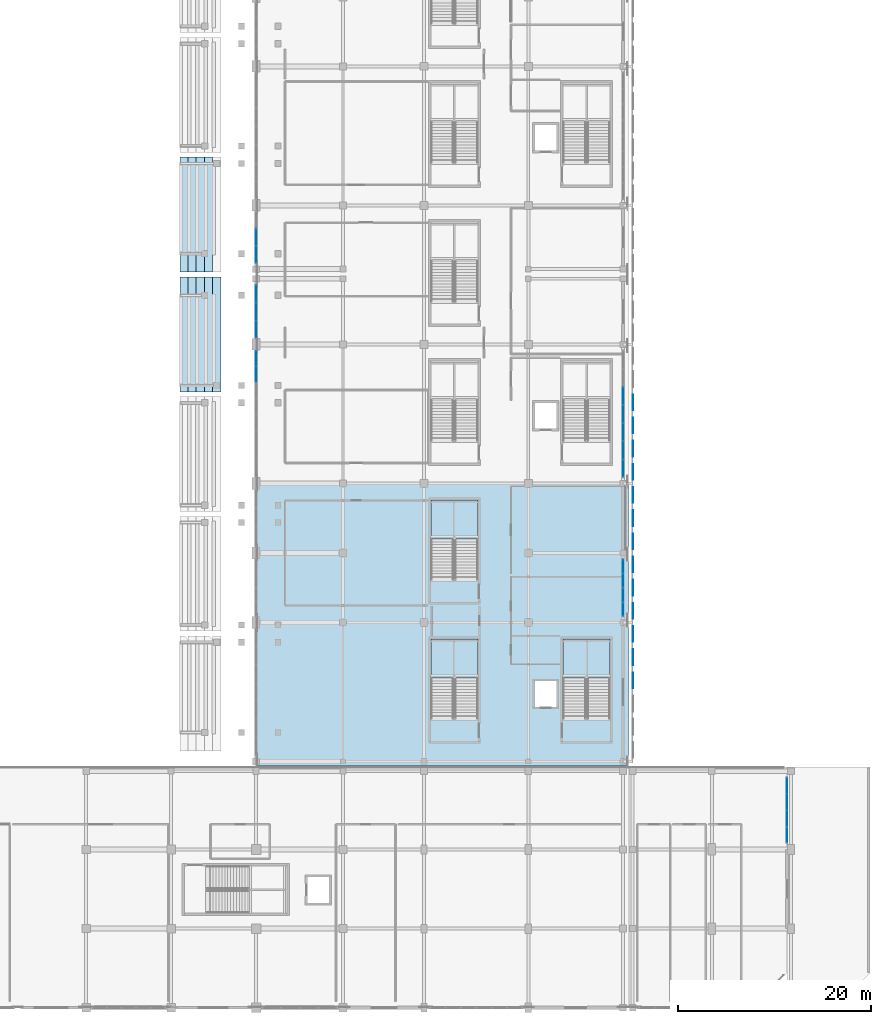
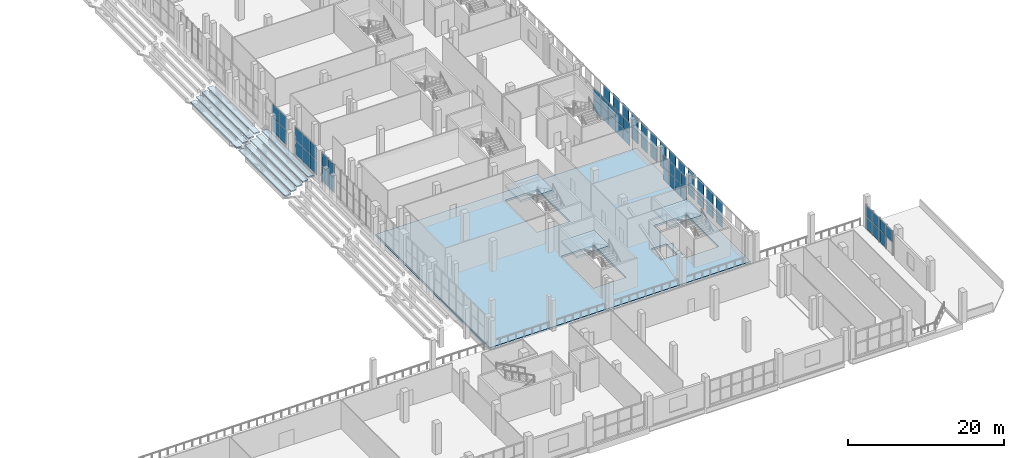
# One storey, part 80 of 142: 52 plates, 13 slabs, 9 elements without a shape of their own.
"""IFC4 building model written with IfcOpenShell, lengths in metres."""

from ifc_helpers import new_model, si_unit, direction, frame, origin, origin_2d, place, context, subcontext, project, spatial, polyline, rectangle, outline, extrude, material, layer, layer_set, type_object, element, aggregate, save


model = new_model("IFC4")

# Units and contexts
model_context = context("Model", 3, precision=1e-05, world=origin(), true_north=direction((0.0, 1.0)))
body_context = subcontext(model_context, "Body", "Model", "MODEL_VIEW")
ifc_project = project(units=[si_unit("LENGTHUNIT", "METRE"), si_unit("AREAUNIT", "SQUARE_METRE"), si_unit("VOLUMEUNIT", "CUBIC_METRE"), si_unit("PLANEANGLEUNIT", "RADIAN"), si_unit("MASSUNIT", "GRAM", prefix="KILO")], contexts=[model_context])

# Site, building, storey
site_placement = place(None, origin())
site = spatial("IfcSite", under=ifc_project, at=site_placement, CompositionType="ELEMENT")
building_placement = place(site_placement, origin())
building = spatial("IfcBuilding", under=site, at=building_placement, Name="Koshinbarg Plaza Stadium", CompositionType="ELEMENT")
storey_placement = place(building_placement, frame((0.0, 0.0, 10.199951171875)))
storey = spatial("IfcBuildingStorey", under=building, at=storey_placement, Name="L02", CompositionType="ELEMENT", Elevation=10.199951171875)

# Curtain wall, plates
ifc_material_1 = material(Name="Thermally broken anodised aluminium and low-E double glazing", Category="aluminium")
curtain_wall_type_1 = type_object("IfcCurtainWallType", Name="CW-SYS-11", PredefinedType="NOTDEFINED", material=ifc_material_1)
curtain_wall_1_placement = place(storey_placement, origin())
curtain_wall_1 = element("IfcCurtainWall", 1, at=curtain_wall_1_placement, inside=storey, type_object=curtain_wall_type_1, Name="L02 unitised curtain wall CW-L02-058", PredefinedType="NOTDEFINED")
ifc_material_2 = material(Name="Solar-control low-E double glazing unit", Category="glass")
ifc_layer_1 = layer(ifc_material_2, 0.028076171875)
ifc_layer_set_1 = layer_set([ifc_layer_1], Name="Solar-control low-E double glazing unit")
plate_type_1 = type_object("IfcPlateType", Name="CW-PNL-28", PredefinedType="CURTAIN_PANEL", material=ifc_layer_set_1)
plate_1_placement = place(storey_placement, frame((218.39990234375, 45.719970703125, 0.06005859375), z_axis=(0.0, 0.0, 1.0), x_axis=(0.0, -1.0, 0.0)))
plate_1 = element("IfcPlate", 2, at=plate_1_placement, type_object=plate_type_1, Name="CW11 panel 1.1", PredefinedType="CURTAIN_PANEL", context=body_context, shape_type="SweptSolid", body=[
    extrude(rectangle(XDim=1.39990234375, YDim=0.028076171875, at=origin_2d()), origin(), (0.0, 0.0, 1.0), 1.917236328125),
])
plate_2_placement = place(storey_placement, frame((218.39990234375, 45.719970703125, 2.037353515625), z_axis=(0.0, 0.0, 1.0), x_axis=(0.0, -1.0, 0.0)))
plate_2 = element("IfcPlate", 3, at=plate_2_placement, type_object=plate_type_1, Name="CW11 panel 1.2", PredefinedType="CURTAIN_PANEL", context=body_context, shape_type="SweptSolid", body=[
    extrude(rectangle(XDim=1.39990234375, YDim=0.028076171875, at=origin_2d()), origin(), (0.0, 0.0, 1.0), 1.7626953125),
])
plate_3_placement = place(storey_placement, frame((218.39990234375, 44.2451171875, 0.06005859375), z_axis=(0.0, 0.0, 1.0), x_axis=(0.0, -1.0, 0.0)))
plate_3 = element("IfcPlate", 4, at=plate_3_placement, type_object=plate_type_1, Name="CW11 panel 2.1", PredefinedType="CURTAIN_PANEL", context=body_context, shape_type="SweptSolid", body=[
    extrude(rectangle(XDim=1.429931640625, YDim=0.028076171875, at=origin_2d()), origin(), (0.0, 0.0, 1.0), 1.917236328125),
])
plate_4_placement = place(storey_placement, frame((218.39990234375, 44.2451171875, 2.037353515625), z_axis=(0.0, 0.0, 1.0), x_axis=(0.0, -1.0, 0.0)))
plate_4 = element("IfcPlate", 5, at=plate_4_placement, type_object=plate_type_1, Name="CW11 panel 2.2", PredefinedType="CURTAIN_PANEL", context=body_context, shape_type="SweptSolid", body=[
    extrude(rectangle(XDim=1.429931640625, YDim=0.028076171875, at=origin_2d()), origin(), (0.0, 0.0, 1.0), 1.7626953125),
])
plate_5_placement = place(storey_placement, frame((218.39990234375, 42.7548828125, 0.06005859375), z_axis=(0.0, 0.0, 1.0), x_axis=(0.0, -1.0, 0.0)))
plate_5 = element("IfcPlate", 6, at=plate_5_placement, type_object=plate_type_1, Name="CW11 panel 3.1", PredefinedType="CURTAIN_PANEL", context=body_context, shape_type="SweptSolid", body=[
    extrude(rectangle(XDim=1.429931640625, YDim=0.028076171875, at=origin_2d()), origin(), (0.0, 0.0, 1.0), 1.917236328125),
])
plate_6_placement = place(storey_placement, frame((218.39990234375, 42.7548828125, 2.037353515625), z_axis=(0.0, 0.0, 1.0), x_axis=(0.0, -1.0, 0.0)))
plate_6 = element("IfcPlate", 7, at=plate_6_placement, type_object=plate_type_1, Name="CW11 panel 3.2", PredefinedType="CURTAIN_PANEL", context=body_context, shape_type="SweptSolid", body=[
    extrude(rectangle(XDim=1.429931640625, YDim=0.028076171875, at=origin_2d()), origin(), (0.0, 0.0, 1.0), 1.7626953125),
])
plate_7_placement = place(storey_placement, frame((218.39990234375, 41.280029296875, 0.06005859375), z_axis=(0.0, 0.0, 1.0), x_axis=(0.0, -1.0, 0.0)))
plate_7 = element("IfcPlate", 8, at=plate_7_placement, type_object=plate_type_1, Name="CW11 panel 4.1", PredefinedType="CURTAIN_PANEL", context=body_context, shape_type="SweptSolid", body=[
    extrude(rectangle(XDim=1.39990234375, YDim=0.028076171875, at=origin_2d()), origin(), (0.0, 0.0, 1.0), 1.917236328125),
])
plate_8_placement = place(storey_placement, frame((218.39990234375, 41.280029296875, 2.037353515625), z_axis=(0.0, 0.0, 1.0), x_axis=(0.0, -1.0, 0.0)))
plate_8 = element("IfcPlate", 9, at=plate_8_placement, type_object=plate_type_1, Name="CW11 panel 4.2", PredefinedType="CURTAIN_PANEL", context=body_context, shape_type="SweptSolid", body=[
    extrude(rectangle(XDim=1.39990234375, YDim=0.028076171875, at=origin_2d()), origin(), (0.0, 0.0, 1.0), 1.7626953125),
])
aggregate(curtain_wall_1, [plate_1, plate_2, plate_3, plate_4, plate_5, plate_6, plate_7, plate_8])

curtain_wall_type_2 = type_object("IfcCurtainWallType", Name="CW-SYS-13", PredefinedType="NOTDEFINED", material=ifc_material_1)
curtain_wall_2_placement = place(storey_placement, origin())
curtain_wall_2 = element("IfcCurtainWall", 10, at=curtain_wall_2_placement, inside=storey, type_object=curtain_wall_type_2, Name="L02 unitised curtain wall CW-L02-060", PredefinedType="NOTDEFINED")
plate_9_placement = place(storey_placement, frame((235.3798828125, 23.007568359375, 0.06005859375), z_axis=(0.0, 0.0, 1.0), x_axis=(0.0, -1.0, 0.0)))
plate_9 = element("IfcPlate", 11, at=plate_9_placement, type_object=plate_type_1, Name="CW13 panel 1.1", PredefinedType="CURTAIN_PANEL", context=body_context, shape_type="SweptSolid", body=[
    extrude(rectangle(XDim=1.625, YDim=0.028076171875, at=origin_2d()), origin(), (0.0, 0.0, 1.0), 1.87548828125),
])
plate_10_placement = place(storey_placement, frame((235.3798828125, 23.007568359375, 1.99560546875), z_axis=(0.0, 0.0, 1.0), x_axis=(0.0, -1.0, 0.0)))
plate_10 = element("IfcPlate", 12, at=plate_10_placement, type_object=plate_type_1, Name="CW13 panel 1.2", PredefinedType="CURTAIN_PANEL", context=body_context, shape_type="SweptSolid", body=[
    extrude(rectangle(XDim=1.625, YDim=0.028076171875, at=origin_2d()), origin(), (0.0, 0.0, 1.0), 1.724365234375),
])
plate_11_placement = place(storey_placement, frame((235.3798828125, 21.3076171875, 0.06005859375), z_axis=(0.0, 0.0, 1.0), x_axis=(0.0, -1.0, 0.0)))
plate_11 = element("IfcPlate", 13, at=plate_11_placement, type_object=plate_type_1, Name="CW13 panel 2.1", PredefinedType="CURTAIN_PANEL", context=body_context, shape_type="SweptSolid", body=[
    extrude(rectangle(XDim=1.655029296875, YDim=0.028076171875, at=origin_2d()), origin(), (0.0, 0.0, 1.0), 1.87548828125),
])
plate_12_placement = place(storey_placement, frame((235.3798828125, 21.3076171875, 1.99560546875), z_axis=(0.0, 0.0, 1.0), x_axis=(0.0, -1.0, 0.0)))
plate_12 = element("IfcPlate", 14, at=plate_12_placement, type_object=plate_type_1, Name="CW13 panel 2.2", PredefinedType="CURTAIN_PANEL", context=body_context, shape_type="SweptSolid", body=[
    extrude(rectangle(XDim=1.655029296875, YDim=0.028076171875, at=origin_2d()), origin(), (0.0, 0.0, 1.0), 1.724365234375),
])
plate_13_placement = place(storey_placement, frame((235.3798828125, 19.592529296875, 0.06005859375), z_axis=(0.0, 0.0, 1.0), x_axis=(0.0, -1.0, 0.0)))
plate_13 = element("IfcPlate", 15, at=plate_13_placement, type_object=plate_type_1, Name="CW13 panel 3.1", PredefinedType="CURTAIN_PANEL", context=body_context, shape_type="SweptSolid", body=[
    extrude(rectangle(XDim=1.655029296875, YDim=0.028076171875, at=origin_2d()), origin(), (0.0, 0.0, 1.0), 1.87548828125),
])
plate_14_placement = place(storey_placement, frame((235.3798828125, 19.592529296875, 1.99560546875), z_axis=(0.0, 0.0, 1.0), x_axis=(0.0, -1.0, 0.0)))
plate_14 = element("IfcPlate", 16, at=plate_14_placement, type_object=plate_type_1, Name="CW13 panel 3.2", PredefinedType="CURTAIN_PANEL", context=body_context, shape_type="SweptSolid", body=[
    extrude(rectangle(XDim=1.655029296875, YDim=0.028076171875, at=origin_2d()), origin(), (0.0, 0.0, 1.0), 1.724365234375),
])
plate_15_placement = place(storey_placement, frame((235.3798828125, 17.892578125, 1.99560546875), z_axis=(0.0, 0.0, 1.0), x_axis=(0.0, -1.0, 0.0)))
plate_15 = element("IfcPlate", 17, at=plate_15_placement, type_object=plate_type_1, Name="CW13 panel 4.2", PredefinedType="CURTAIN_PANEL", context=body_context, shape_type="SweptSolid", body=[
    extrude(rectangle(XDim=1.625, YDim=0.028076171875, at=origin_2d()), origin(), (0.0, 0.0, 1.0), 1.724365234375),
])
aggregate(curtain_wall_2, [plate_9, plate_10, plate_11, plate_12, plate_13, plate_14, plate_15])

curtain_wall_type_3 = type_object("IfcCurtainWallType", Name="CW-SYS-05", PredefinedType="NOTDEFINED", material=ifc_material_1)
curtain_wall_3_placement = place(storey_placement, origin())
curtain_wall_3 = element("IfcCurtainWall", 18, at=curtain_wall_3_placement, inside=storey, type_object=curtain_wall_type_3, Name="L02 unitised curtain wall CW-L02-084", PredefinedType="NOTDEFINED")
plate_16_placement = place(storey_placement, frame((180.39990234375, 65.612548828125, 0.06005859375), z_axis=(0.0, 0.0, 1.0), x_axis=(0.0, 1.0, 0.0)))
plate_16 = element("IfcPlate", 19, at=plate_16_placement, type_object=plate_type_1, Name="CW05 panel 7.1", PredefinedType="CURTAIN_PANEL", context=body_context, shape_type="SweptSolid", body=[
    extrude(rectangle(XDim=1.5849609375, YDim=0.028076171875, at=origin_2d()), origin(), (0.0, 0.0, 1.0), 2.239501953125),
])
plate_17_placement = place(storey_placement, frame((180.39990234375, 65.612548828125, 2.35986328125), z_axis=(0.0, 0.0, 1.0), x_axis=(0.0, 1.0, 0.0)))
plate_17 = element("IfcPlate", 20, at=plate_17_placement, type_object=plate_type_1, Name="CW05 panel 7.2", PredefinedType="CURTAIN_PANEL", context=body_context, shape_type="SweptSolid", body=[
    extrude(rectangle(XDim=1.5849609375, YDim=0.028076171875, at=origin_2d()), origin(), (0.0, 0.0, 1.0), 2.060302734375),
])
plate_18_placement = place(storey_placement, frame((180.39990234375, 67.242431640625, 0.06005859375), z_axis=(0.0, 0.0, 1.0), x_axis=(0.0, 1.0, 0.0)))
plate_18 = element("IfcPlate", 21, at=plate_18_placement, type_object=plate_type_1, Name="CW05 panel 8.1", PredefinedType="CURTAIN_PANEL", context=body_context, shape_type="SweptSolid", body=[
    extrude(rectangle(XDim=1.554931640625, YDim=0.028076171875, at=origin_2d()), origin(), (0.0, 0.0, 1.0), 2.239501953125),
])
plate_19_placement = place(storey_placement, frame((180.39990234375, 67.242431640625, 2.35986328125), z_axis=(0.0, 0.0, 1.0), x_axis=(0.0, 1.0, 0.0)))
plate_19 = element("IfcPlate", 22, at=plate_19_placement, type_object=plate_type_1, Name="CW05 panel 8.2", PredefinedType="CURTAIN_PANEL", context=body_context, shape_type="SweptSolid", body=[
    extrude(rectangle(XDim=1.554931640625, YDim=0.028076171875, at=origin_2d()), origin(), (0.0, 0.0, 1.0), 2.060302734375),
])
aggregate(curtain_wall_3, [plate_16, plate_17, plate_18, plate_19])

curtain_wall_type_4 = type_object("IfcCurtainWallType", Name="CW-SYS-07", PredefinedType="NOTDEFINED", material=ifc_material_1)
curtain_wall_4_placement = place(storey_placement, origin())
curtain_wall_4 = element("IfcCurtainWall", 23, at=curtain_wall_4_placement, inside=storey, type_object=curtain_wall_type_4, Name="L02 unitised curtain wall CW-L02-086", PredefinedType="NOTDEFINED")
plate_20_placement = place(storey_placement, frame((180.39990234375, 78.0283203125, 0.06005859375), z_axis=(0.0, 0.0, 1.0), x_axis=(0.0, 1.0, 0.0)))
plate_20 = element("IfcPlate", 24, at=plate_20_placement, type_object=plate_type_1, Name="CW07 panel 1.1", PredefinedType="CURTAIN_PANEL", context=body_context, shape_type="SweptSolid", body=[
    extrude(rectangle(XDim=1.69677734375, YDim=0.028076171875, at=origin_2d()), origin(), (0.0, 0.0, 1.0), 2.239501953125),
])
plate_21_placement = place(storey_placement, frame((180.39990234375, 78.0283203125, 2.35986328125), z_axis=(0.0, 0.0, 1.0), x_axis=(0.0, 1.0, 0.0)))
plate_21 = element("IfcPlate", 25, at=plate_21_placement, type_object=plate_type_1, Name="CW07 panel 1.2", PredefinedType="CURTAIN_PANEL", context=body_context, shape_type="SweptSolid", body=[
    extrude(rectangle(XDim=1.69677734375, YDim=0.028076171875, at=origin_2d()), origin(), (0.0, 0.0, 1.0), 2.060302734375),
])
plate_22_placement = place(storey_placement, frame((180.39990234375, 79.800048828125, 0.06005859375), z_axis=(0.0, 0.0, 1.0), x_axis=(0.0, 1.0, 0.0)))
plate_22 = element("IfcPlate", 26, at=plate_22_placement, type_object=plate_type_1, Name="CW07 panel 2.1", PredefinedType="CURTAIN_PANEL", context=body_context, shape_type="SweptSolid", body=[
    extrude(rectangle(XDim=1.7265625, YDim=0.028076171875, at=origin_2d()), origin(), (0.0, 0.0, 1.0), 2.239501953125),
])
plate_23_placement = place(storey_placement, frame((180.39990234375, 79.800048828125, 2.35986328125), z_axis=(0.0, 0.0, 1.0), x_axis=(0.0, 1.0, 0.0)))
plate_23 = element("IfcPlate", 27, at=plate_23_placement, type_object=plate_type_1, Name="CW07 panel 2.2", PredefinedType="CURTAIN_PANEL", context=body_context, shape_type="SweptSolid", body=[
    extrude(rectangle(XDim=1.7265625, YDim=0.028076171875, at=origin_2d()), origin(), (0.0, 0.0, 1.0), 2.060302734375),
])
aggregate(curtain_wall_4, [plate_20, plate_21, plate_22, plate_23])

curtain_wall_type_5 = type_object("IfcCurtainWallType", Name="CW-SYS-10", PredefinedType="NOTDEFINED", material=ifc_material_1)
curtain_wall_5_placement = place(storey_placement, origin())
curtain_wall_5 = element("IfcCurtainWall", 28, at=curtain_wall_5_placement, inside=storey, type_object=curtain_wall_type_5, Name="L02 unitised curtain wall CW-L02-057", PredefinedType="NOTDEFINED")
ifc_material_3 = material(Name="Acoustic solar-control double glazing unit", Category="glass")
ifc_layer_2 = layer(ifc_material_3, 0.031982421875)
ifc_layer_set_2 = layer_set([ifc_layer_2], Name="Acoustic solar-control double glazing unit")
plate_type_2 = type_object("IfcPlateType", Name="CW-PNL-32", PredefinedType="CURTAIN_PANEL", material=ifc_layer_set_2)
plate_24_placement = place(storey_placement, frame((218.39990234375, 63.3798828125, 0.06005859375), z_axis=(0.0, 0.0, 1.0), x_axis=(0.0, -1.0, 0.0)))
plate_24 = element("IfcPlate", 29, at=plate_24_placement, type_object=plate_type_2, Name="CW10 panel 3.1", PredefinedType="CURTAIN_PANEL", context=body_context, shape_type="SweptSolid", body=[
    extrude(rectangle(XDim=1.820068359375, YDim=0.031982421875, at=origin_2d()), origin(), (0.0, 0.0, 1.0), 1.76123046875),
])
plate_25_placement = place(storey_placement, frame((218.39990234375, 63.3798828125, 1.88134765625), z_axis=(0.0, 0.0, 1.0), x_axis=(0.0, -1.0, 0.0)))
plate_25 = element("IfcPlate", 30, at=plate_25_placement, type_object=plate_type_2, Name="CW10 panel 3.2", PredefinedType="CURTAIN_PANEL", context=body_context, shape_type="SweptSolid", body=[
    extrude(rectangle(XDim=1.820068359375, YDim=0.031982421875, at=origin_2d()), origin(), (0.0, 0.0, 1.0), 1.618896484375),
])
plate_26_placement = place(storey_placement, frame((218.39990234375, 61.5, 0.06005859375), z_axis=(0.0, 0.0, 1.0), x_axis=(0.0, -1.0, 0.0)))
plate_26 = element("IfcPlate", 31, at=plate_26_placement, type_object=plate_type_2, Name="CW10 panel 4.1", PredefinedType="CURTAIN_PANEL", context=body_context, shape_type="SweptSolid", body=[
    extrude(rectangle(XDim=1.820068359375, YDim=0.031982421875, at=origin_2d()), origin(), (0.0, 0.0, 1.0), 1.76123046875),
])
plate_27_placement = place(storey_placement, frame((218.39990234375, 61.5, 1.88134765625), z_axis=(0.0, 0.0, 1.0), x_axis=(0.0, -1.0, 0.0)))
plate_27 = element("IfcPlate", 32, at=plate_27_placement, type_object=plate_type_2, Name="CW10 panel 4.2", PredefinedType="CURTAIN_PANEL", context=body_context, shape_type="SweptSolid", body=[
    extrude(rectangle(XDim=1.820068359375, YDim=0.031982421875, at=origin_2d()), origin(), (0.0, 0.0, 1.0), 1.618896484375),
])
plate_28_placement = place(storey_placement, frame((218.39990234375, 59.6201171875, 0.06005859375), z_axis=(0.0, 0.0, 1.0), x_axis=(0.0, -1.0, 0.0)))
plate_28 = element("IfcPlate", 33, at=plate_28_placement, type_object=plate_type_2, Name="CW10 panel 5.1", PredefinedType="CURTAIN_PANEL", context=body_context, shape_type="SweptSolid", body=[
    extrude(rectangle(XDim=1.820068359375, YDim=0.031982421875, at=origin_2d()), origin(), (0.0, 0.0, 1.0), 1.76123046875),
])
plate_29_placement = place(storey_placement, frame((218.39990234375, 59.6201171875, 1.88134765625), z_axis=(0.0, 0.0, 1.0), x_axis=(0.0, -1.0, 0.0)))
plate_29 = element("IfcPlate", 34, at=plate_29_placement, type_object=plate_type_2, Name="CW10 panel 5.2", PredefinedType="CURTAIN_PANEL", context=body_context, shape_type="SweptSolid", body=[
    extrude(rectangle(XDim=1.820068359375, YDim=0.031982421875, at=origin_2d()), origin(), (0.0, 0.0, 1.0), 1.618896484375),
])
plate_30_placement = place(storey_placement, frame((218.39990234375, 57.739990234375, 0.06005859375), z_axis=(0.0, 0.0, 1.0), x_axis=(0.0, -1.0, 0.0)))
plate_30 = element("IfcPlate", 35, at=plate_30_placement, type_object=plate_type_2, Name="CW10 panel 6.1", PredefinedType="CURTAIN_PANEL", context=body_context, shape_type="SweptSolid", body=[
    extrude(rectangle(XDim=1.820068359375, YDim=0.031982421875, at=origin_2d()), origin(), (0.0, 0.0, 1.0), 1.76123046875),
])
plate_31_placement = place(storey_placement, frame((218.39990234375, 57.739990234375, 1.88134765625), z_axis=(0.0, 0.0, 1.0), x_axis=(0.0, -1.0, 0.0)))
plate_31 = element("IfcPlate", 36, at=plate_31_placement, type_object=plate_type_2, Name="CW10 panel 6.2", PredefinedType="CURTAIN_PANEL", context=body_context, shape_type="SweptSolid", body=[
    extrude(rectangle(XDim=1.820068359375, YDim=0.031982421875, at=origin_2d()), origin(), (0.0, 0.0, 1.0), 1.618896484375),
])
plate_32_placement = place(storey_placement, frame((218.39990234375, 55.875, 0.06005859375), z_axis=(0.0, 0.0, 1.0), x_axis=(0.0, -1.0, 0.0)))
plate_32 = element("IfcPlate", 37, at=plate_32_placement, type_object=plate_type_2, Name="CW10 panel 7.1", PredefinedType="CURTAIN_PANEL", context=body_context, shape_type="SweptSolid", body=[
    extrude(rectangle(XDim=1.7900390625, YDim=0.031982421875, at=origin_2d()), origin(), (0.0, 0.0, 1.0), 1.76123046875),
])
plate_33_placement = place(storey_placement, frame((218.39990234375, 55.875, 1.88134765625), z_axis=(0.0, 0.0, 1.0), x_axis=(0.0, -1.0, 0.0)))
plate_33 = element("IfcPlate", 38, at=plate_33_placement, type_object=plate_type_2, Name="CW10 panel 7.2", PredefinedType="CURTAIN_PANEL", context=body_context, shape_type="SweptSolid", body=[
    extrude(rectangle(XDim=1.7900390625, YDim=0.031982421875, at=origin_2d()), origin(), (0.0, 0.0, 1.0), 1.618896484375),
])
aggregate(curtain_wall_5, [plate_24, plate_25, plate_26, plate_27, plate_28, plate_29, plate_30, plate_31, plate_32, plate_33])

curtain_wall_type_6 = type_object("IfcCurtainWallType", Name="CW-SYS-06", PredefinedType="NOTDEFINED", material=ifc_material_1)
curtain_wall_6_placement = place(storey_placement, origin())
curtain_wall_6 = element("IfcCurtainWall", 39, at=curtain_wall_6_placement, inside=storey, type_object=curtain_wall_type_6, Name="L02 unitised curtain wall CW-L02-085", PredefinedType="NOTDEFINED")
plate_34_placement = place(storey_placement, frame((180.39990234375, 70.26171875, 0.06005859375), z_axis=(0.0, 0.0, 1.0), x_axis=(0.0, 1.0, 0.0)))
plate_34 = element("IfcPlate", 40, at=plate_34_placement, type_object=plate_type_2, Name="CW06 panel 1.1", PredefinedType="CURTAIN_PANEL", context=body_context, shape_type="SweptSolid", body=[
    extrude(rectangle(XDim=1.763427734375, YDim=0.031982421875, at=origin_2d()), origin(), (0.0, 0.0, 1.0), 2.239501953125),
])
plate_35_placement = place(storey_placement, frame((180.39990234375, 70.26171875, 2.35986328125), z_axis=(0.0, 0.0, 1.0), x_axis=(0.0, 1.0, 0.0)))
plate_35 = element("IfcPlate", 41, at=plate_35_placement, type_object=plate_type_2, Name="CW06 panel 1.2", PredefinedType="CURTAIN_PANEL", context=body_context, shape_type="SweptSolid", body=[
    extrude(rectangle(XDim=1.763427734375, YDim=0.031982421875, at=origin_2d()), origin(), (0.0, 0.0, 1.0), 2.060302734375),
])
plate_36_placement = place(storey_placement, frame((180.39990234375, 72.10009765625, 0.06005859375), z_axis=(0.0, 0.0, 1.0), x_axis=(0.0, 1.0, 0.0)))
plate_36 = element("IfcPlate", 42, at=plate_36_placement, type_object=plate_type_2, Name="CW06 panel 2.1", PredefinedType="CURTAIN_PANEL", context=body_context, shape_type="SweptSolid", body=[
    extrude(rectangle(XDim=1.793212890625, YDim=0.031982421875, at=origin_2d()), origin(), (0.0, 0.0, 1.0), 2.239501953125),
])
plate_37_placement = place(storey_placement, frame((180.39990234375, 72.10009765625, 2.35986328125), z_axis=(0.0, 0.0, 1.0), x_axis=(0.0, 1.0, 0.0)))
plate_37 = element("IfcPlate", 43, at=plate_37_placement, type_object=plate_type_2, Name="CW06 panel 2.2", PredefinedType="CURTAIN_PANEL", context=body_context, shape_type="SweptSolid", body=[
    extrude(rectangle(XDim=1.793212890625, YDim=0.031982421875, at=origin_2d()), origin(), (0.0, 0.0, 1.0), 2.060302734375),
])
plate_38_placement = place(storey_placement, frame((180.39990234375, 73.938232421875, 0.06005859375), z_axis=(0.0, 0.0, 1.0), x_axis=(0.0, 1.0, 0.0)))
plate_38 = element("IfcPlate", 44, at=plate_38_placement, type_object=plate_type_2, Name="CW06 panel 3.1", PredefinedType="CURTAIN_PANEL", context=body_context, shape_type="SweptSolid", body=[
    extrude(rectangle(XDim=1.763427734375, YDim=0.031982421875, at=origin_2d()), origin(), (0.0, 0.0, 1.0), 2.239501953125),
])
plate_39_placement = place(storey_placement, frame((180.39990234375, 73.938232421875, 2.35986328125), z_axis=(0.0, 0.0, 1.0), x_axis=(0.0, 1.0, 0.0)))
plate_39 = element("IfcPlate", 45, at=plate_39_placement, type_object=plate_type_2, Name="CW06 panel 3.2", PredefinedType="CURTAIN_PANEL", context=body_context, shape_type="SweptSolid", body=[
    extrude(rectangle(XDim=1.763427734375, YDim=0.031982421875, at=origin_2d()), origin(), (0.0, 0.0, 1.0), 2.060302734375),
])
aggregate(curtain_wall_6, [plate_34, plate_35, plate_36, plate_37, plate_38, plate_39])

# Plates
ifc_material_4 = material(Name="Off-white mineral-coated perforated aluminium screen panel", Category="aluminium")
ifc_layer_3 = layer(ifc_material_4, 0.050048828125)
ifc_layer_set_3 = layer_set([ifc_layer_3], Name="Off-white mineral-coated perforated aluminium screen panel")
plate_type_3 = type_object("IfcPlateType", Name="PLT-SCR-50", PredefinedType="USERDEFINED", material=ifc_layer_set_3)
for number, where, z_axis, x_axis, name in (
    (46, (219.419921875, 33.89990234375, 0.2001953125), (0.0, 0.0, 1.0), (1.0, 0.0, 0.0), "L02 off-white leaf-pierced outer screen panel 130"),
    (47, (219.419921875, 38.699951171875, 0.2001953125), (0.0, 0.0, 1.0), (1.0, 0.0, 0.0), "L02 off-white leaf-pierced outer screen panel 132"),
    (48, (219.419921875, 43.5, 0.2001953125), (0.0, 0.0, 1.0), (1.0, 0.0, 0.0), "L02 off-white leaf-pierced outer screen panel 134"),
    (49, (219.419921875, 48.300048828125, 0.2001953125), (0.0, 0.0, 1.0), (1.0, 0.0, 0.0), "L02 off-white leaf-pierced outer screen panel 136"),
    (50, (219.419921875, 53.10009765625, 0.2001953125), (0.0, 0.0, 1.0), (1.0, 0.0, 0.0), "L02 off-white leaf-pierced outer screen panel 138"),
    (51, (219.419921875, 57.89990234375, 0.2001953125), (0.0, 0.0, 1.0), (1.0, 0.0, 0.0), "L02 off-white leaf-pierced outer screen panel 140"),
    (52, (219.419921875, 62.699951171875, 0.2001953125), (0.0, 0.0, 1.0), (1.0, 0.0, 0.0), "L02 off-white leaf-pierced outer screen panel 142"),
):
    element("IfcPlate", number, at=place(storey_placement, frame(where, z_axis=z_axis, x_axis=x_axis)), inside=storey, type_object=plate_type_3, Name=name, ObjectType="SCREEN PANEL", PredefinedType="USERDEFINED", context=body_context, shape_type="SweptSolid", body=[
        extrude(rectangle(XDim=0.050048828125, YDim=1.632080078125, at=origin_2d()), origin(), (0.0, 0.0, 1.0), 4.030029296875),
    ])
ifc_material_5 = material(Name="Off-white mineral-coated leaf-aperture GRC screen panel")
ifc_layer_4 = layer(ifc_material_5, 0.06005859375)
ifc_layer_set_4 = layer_set([ifc_layer_4], Name="Off-white mineral-coated leaf-aperture GRC screen panel")
plate_type_4 = type_object("IfcPlateType", Name="PLT-SCR-60", PredefinedType="USERDEFINED", material=ifc_layer_set_4)
for number, where, z_axis, x_axis, name in (
    (53, (219.425048828125, 36.300048828125, 0.2001953125), (0.0, 0.0, 1.0), (1.0, 0.0, 0.0), "L02 off-white leaf-pierced outer screen panel 131"),
    (54, (219.425048828125, 41.10009765625, 0.2001953125), (0.0, 0.0, 1.0), (1.0, 0.0, 0.0), "L02 off-white leaf-pierced outer screen panel 133"),
    (55, (219.425048828125, 45.89990234375, 0.2001953125), (0.0, 0.0, 1.0), (1.0, 0.0, 0.0), "L02 off-white leaf-pierced outer screen panel 135"),
    (56, (219.425048828125, 50.699951171875, 0.2001953125), (0.0, 0.0, 1.0), (1.0, 0.0, 0.0), "L02 off-white leaf-pierced outer screen panel 137"),
    (57, (219.425048828125, 55.5, 0.2001953125), (0.0, 0.0, 1.0), (1.0, 0.0, 0.0), "L02 off-white leaf-pierced outer screen panel 139"),
    (58, (219.425048828125, 60.300048828125, 0.2001953125), (0.0, 0.0, 1.0), (1.0, 0.0, 0.0), "L02 off-white leaf-pierced outer screen panel 141"),
):
    element("IfcPlate", number, at=place(storey_placement, frame(where, z_axis=z_axis, x_axis=x_axis)), inside=storey, type_object=plate_type_4, Name=name, ObjectType="SCREEN PANEL", PredefinedType="USERDEFINED", context=body_context, shape_type="SweptSolid", body=[
        extrude(rectangle(XDim=0.06005859375, YDim=1.632080078125, at=origin_2d()), origin(), (0.0, 0.0, 1.0), 4.030029296875),
    ])

# Slab
ifc_material_6 = material(Name="Concrete C35/45", Category="concrete")
ifc_layer_5 = layer(ifc_material_6, 0.300048828125)
ifc_layer_set_5 = layer_set([ifc_layer_5], Name="Concrete C35/45")
slab_type_1 = type_object("IfcSlabType", Name="SL-FLR-300", PredefinedType="FLOOR", material=ifc_layer_set_5)
slab_1_placement = place(storey_placement, frame((0.0, 0.0, -0.300048828125)))
element("IfcSlab", 59, at=slab_1_placement, inside=storey, type_object=slab_type_1, Name="L02 V2 structural slab 5", PredefinedType="FLOOR", context=body_context, shape_type="SweptSolid", body=[
    extrude(outline(polyline([(180.39990234375, 25.044921875), (218.955078125, 25.044921875), (218.955078125, 54.300048828125), (180.39990234375, 54.300048828125), (180.39990234375, 25.044921875)]), holes=[polyline([(217.070068359375, 29.9599609375), (217.070068359375, 38.199951171875), (212.199951171875, 38.199951171875), (212.199951171875, 29.9599609375), (217.070068359375, 29.9599609375)]), polyline([(209.25, 31.14990234375), (211.550048828125, 31.14990234375), (211.550048828125, 33.85009765625), (209.25, 33.85009765625), (209.25, 31.14990234375)]), polyline([(203.3701171875, 29.9599609375), (203.3701171875, 38.199951171875), (198.5, 38.199951171875), (198.5, 29.9599609375), (203.3701171875, 29.9599609375)]), polyline([(203.3701171875, 44.360107421875), (203.3701171875, 52.60009765625), (198.5, 52.60009765625), (198.5, 44.360107421875), (203.3701171875, 44.360107421875)])]), origin(), (0.0, 0.0, 1.0), 0.300048828125),
])

# Stair, slab
stair_type_1 = type_object("IfcStairType", Name="ST-CORE-48", PredefinedType="HALF_TURN_STAIR", material=ifc_material_6)
stair_1_placement = place(storey_placement, origin())
stair_1 = element("IfcStair", 60, at=stair_1_placement, inside=storey, type_object=stair_type_1, Name="L02 Protected Exit Stair C07", PredefinedType="HALF_TURN_STAIR")
ifc_layer_6 = layer(ifc_material_6, 0.320068359375)
ifc_layer_set_6 = layer_set([ifc_layer_6], Name="Concrete C35/45")
slab_type_2 = type_object("IfcSlabType", Name="SL-STLAND-280", PredefinedType="LANDING", material=ifc_layer_set_6)
slab_2_placement = place(storey_placement, frame((0.0, 0.0, 2.080078125)))
slab_2 = element("IfcSlab", 61, at=slab_2_placement, type_object=slab_type_2, Name="L02 Protected Exit Stair C07 landing 039", PredefinedType="LANDING", context=body_context, shape_type="SweptSolid", body=[
    extrude(outline(polyline([(217.070068359375, 34.159912109375), (217.070068359375, 38.199951171875), (212.199951171875, 38.199951171875), (212.199951171875, 34.159912109375), (217.070068359375, 34.159912109375)])), origin(), (0.0, 0.0, 1.0), 0.320068359375),
])
aggregate(stair_1, [slab_2])

stair_type_2 = type_object("IfcStairType", Name="ST-VOM-48", PredefinedType="HALF_TURN_STAIR", material=ifc_material_6)
stair_2_placement = place(storey_placement, origin())
stair_2 = element("IfcStair", 62, at=stair_2_placement, inside=storey, type_object=stair_type_2, Name="L02 Upper Vomitory Stair VX07", PredefinedType="HALF_TURN_STAIR")
slab_3_placement = place(storey_placement, frame((0.0, 0.0, 2.080078125)))
slab_3 = element("IfcSlab", 63, at=slab_3_placement, type_object=slab_type_2, Name="L02 Upper Vomitory Stair VX07 landing 095", PredefinedType="LANDING", context=body_context, shape_type="SweptSolid", body=[
    extrude(outline(polyline([(203.3701171875, 34.159912109375), (203.3701171875, 38.199951171875), (198.5, 38.199951171875), (198.5, 34.159912109375), (203.3701171875, 34.159912109375)])), origin(), (0.0, 0.0, 1.0), 0.320068359375),
])
aggregate(stair_2, [slab_3])

stair_3_placement = place(storey_placement, origin())
stair_3 = element("IfcStair", 64, at=stair_3_placement, inside=storey, type_object=stair_type_2, Name="L02 Upper Vomitory Stair VX08", PredefinedType="HALF_TURN_STAIR")
slab_4_placement = place(storey_placement, frame((0.0, 0.0, 2.080078125)))
slab_4 = element("IfcSlab", 65, at=slab_4_placement, type_object=slab_type_2, Name="L02 Upper Vomitory Stair VX08 landing 098", PredefinedType="LANDING", context=body_context, shape_type="SweptSolid", body=[
    extrude(outline(polyline([(203.3701171875, 48.56005859375), (203.3701171875, 52.60009765625), (198.5, 52.60009765625), (198.5, 48.56005859375), (203.3701171875, 48.56005859375)])), origin(), (0.0, 0.0, 1.0), 0.320068359375),
])
aggregate(stair_3, [slab_4])

# Slabs
ifc_material_7 = material(Name="Precast concrete C40/50", Category="concrete")
ifc_layer_7 = layer(ifc_material_7, 0.199951171875)
ifc_layer_set_7 = layer_set([ifc_layer_7], Name="Precast concrete C40/50")
slab_type_3 = type_object("IfcSlabType", Name="SL-TIER-UT", PredefinedType="USERDEFINED", material=ifc_layer_set_7)
slab_5_placement = place(storey_placement, frame((0.0, 0.0, 2.820068359375)))
element("IfcSlab", 66, at=slab_5_placement, inside=storey, type_object=slab_type_3, Name="Stand upper seating tier UT-E04 row 1", ObjectType="SEATING TIER", PredefinedType="USERDEFINED", context=body_context, shape_type="SweptSolid", body=[
    extrude(outline(polyline([(172.5, 63.800048828125), (173.35009765625, 63.800048828125), (173.35009765625, 75.699951171875), (172.5, 75.699951171875), (172.5, 63.800048828125)])), origin(), (0.0, 0.0, 1.0), 0.199951171875),
])
slab_6_placement = place(storey_placement, frame((0.0, 0.0, 3.260009765625)))
element("IfcSlab", 67, at=slab_6_placement, inside=storey, type_object=slab_type_3, Name="Stand upper seating tier UT-E04 row 2", ObjectType="SEATING TIER", PredefinedType="USERDEFINED", context=body_context, shape_type="SweptSolid", body=[
    extrude(outline(polyline([(173.35009765625, 63.800048828125), (174.199951171875, 63.800048828125), (174.199951171875, 75.699951171875), (173.35009765625, 75.699951171875), (173.35009765625, 63.800048828125)])), origin(), (0.0, 0.0, 1.0), 0.199951171875),
])
slab_7_placement = place(storey_placement, frame((0.0, 0.0, 3.699951171875)))
element("IfcSlab", 68, at=slab_7_placement, inside=storey, type_object=slab_type_3, Name="Stand upper seating tier UT-E04 row 3", ObjectType="SEATING TIER", PredefinedType="USERDEFINED", context=body_context, shape_type="SweptSolid", body=[
    extrude(outline(polyline([(174.199951171875, 63.800048828125), (175.050048828125, 63.800048828125), (175.050048828125, 75.699951171875), (174.199951171875, 75.699951171875), (174.199951171875, 63.800048828125)])), origin(), (0.0, 0.0, 1.0), 0.2001953125),
])
slab_8_placement = place(storey_placement, frame((0.0, 0.0, 4.14013671875)))
element("IfcSlab", 69, at=slab_8_placement, inside=storey, type_object=slab_type_3, Name="Stand upper seating tier UT-E04 row 4", ObjectType="SEATING TIER", PredefinedType="USERDEFINED", context=body_context, shape_type="SweptSolid", body=[
    extrude(outline(polyline([(175.050048828125, 63.800048828125), (175.89990234375, 63.800048828125), (175.89990234375, 75.699951171875), (175.050048828125, 75.699951171875), (175.050048828125, 63.800048828125)])), origin(), (0.0, 0.0, 1.0), 0.199951171875),
])
slab_9_placement = place(storey_placement, frame((0.0, 0.0, 4.580078125)))
element("IfcSlab", 70, at=slab_9_placement, inside=storey, type_object=slab_type_3, Name="Stand upper seating tier UT-E04 row 5", ObjectType="SEATING TIER", PredefinedType="USERDEFINED", context=body_context, shape_type="SweptSolid", body=[
    extrude(outline(polyline([(175.89990234375, 63.800048828125), (176.75, 63.800048828125), (176.75, 75.699951171875), (175.89990234375, 75.699951171875), (175.89990234375, 63.800048828125)])), origin(), (0.0, 0.0, 1.0), 0.199951171875),
])
slab_10_placement = place(storey_placement, frame((0.0, 0.0, 2.820068359375)))
element("IfcSlab", 71, at=slab_10_placement, inside=storey, type_object=slab_type_3, Name="Stand upper seating tier UT-E05 row 1", ObjectType="SEATING TIER", PredefinedType="USERDEFINED", context=body_context, shape_type="SweptSolid", body=[
    extrude(outline(polyline([(172.5, 76.199951171875), (173.35009765625, 76.199951171875), (173.35009765625, 88.10009765625), (172.5, 88.10009765625), (172.5, 76.199951171875)])), origin(), (0.0, 0.0, 1.0), 0.199951171875),
])
slab_11_placement = place(storey_placement, frame((0.0, 0.0, 3.260009765625)))
element("IfcSlab", 72, at=slab_11_placement, inside=storey, type_object=slab_type_3, Name="Stand upper seating tier UT-E05 row 2", ObjectType="SEATING TIER", PredefinedType="USERDEFINED", context=body_context, shape_type="SweptSolid", body=[
    extrude(outline(polyline([(173.35009765625, 76.199951171875), (174.199951171875, 76.199951171875), (174.199951171875, 88.10009765625), (173.35009765625, 88.10009765625), (173.35009765625, 76.199951171875)])), origin(), (0.0, 0.0, 1.0), 0.199951171875),
])
slab_12_placement = place(storey_placement, frame((0.0, 0.0, 3.699951171875)))
element("IfcSlab", 73, at=slab_12_placement, inside=storey, type_object=slab_type_3, Name="Stand upper seating tier UT-E05 row 3", ObjectType="SEATING TIER", PredefinedType="USERDEFINED", context=body_context, shape_type="SweptSolid", body=[
    extrude(outline(polyline([(174.199951171875, 76.199951171875), (175.050048828125, 76.199951171875), (175.050048828125, 88.10009765625), (174.199951171875, 88.10009765625), (174.199951171875, 76.199951171875)])), origin(), (0.0, 0.0, 1.0), 0.2001953125),
])
slab_13_placement = place(storey_placement, frame((0.0, 0.0, 4.14013671875)))
element("IfcSlab", 74, at=slab_13_placement, inside=storey, type_object=slab_type_3, Name="Stand upper seating tier UT-E05 row 4", ObjectType="SEATING TIER", PredefinedType="USERDEFINED", context=body_context, shape_type="SweptSolid", body=[
    extrude(outline(polyline([(175.050048828125, 76.199951171875), (175.89990234375, 76.199951171875), (175.89990234375, 88.10009765625), (175.050048828125, 88.10009765625), (175.050048828125, 76.199951171875)])), origin(), (0.0, 0.0, 1.0), 0.199951171875),
])

save(model, "model.ifc")
